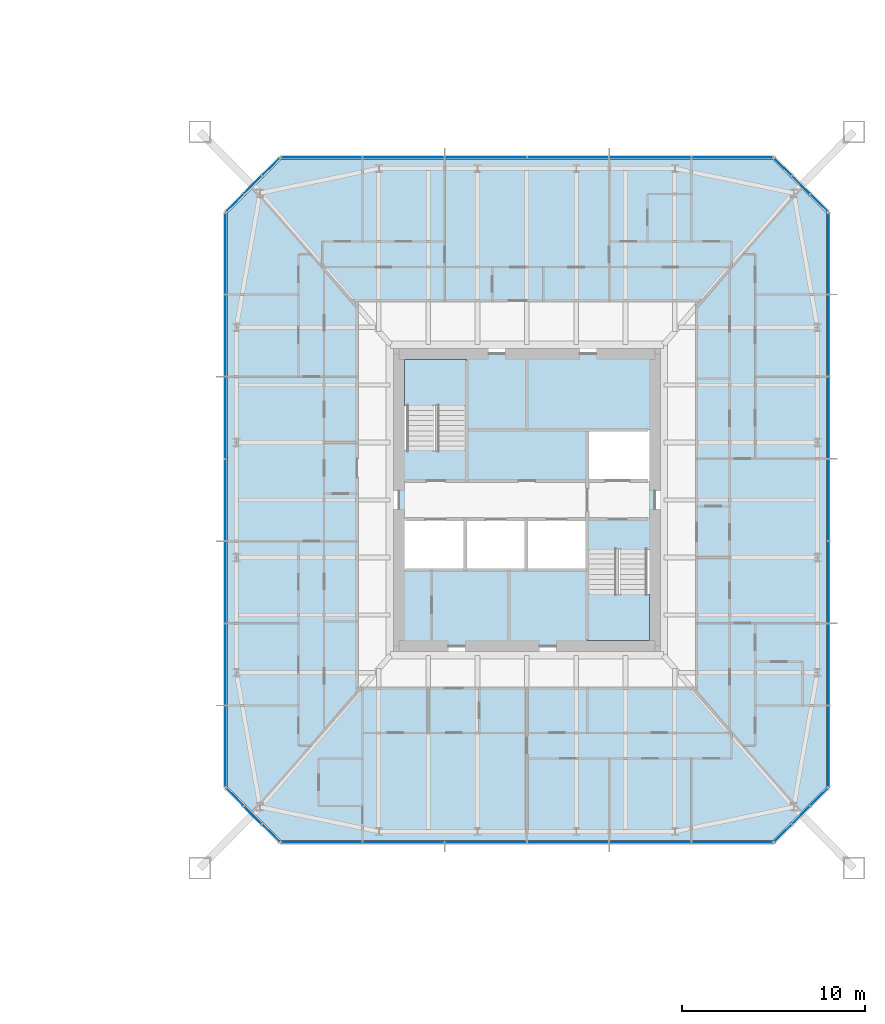
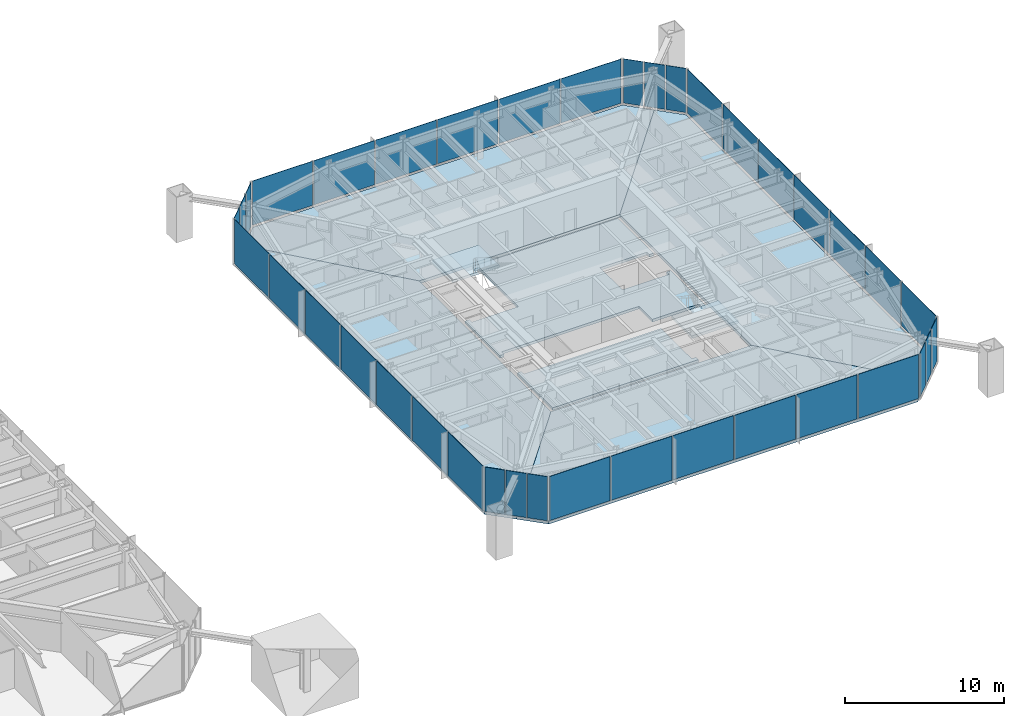
# One storey, part 13 of 26: 38 plates, 8 slabs, 10 elements without a shape of their own.
"""IFC4 building model written with IfcOpenShell, lengths in metres."""

from ifc_helpers import new_model, si_unit, direction, frame, origin, origin_2d, place, context, subcontext, project, spatial, polyline, rectangle, outline, extrude, material, layer, layer_set, constituent, constituent_set, type_object, element, aggregate, save


model = new_model("IFC4")

# Units and contexts
model_context = context("Model", 3, precision=1e-05, world=origin(), true_north=direction((0.0, 1.0)))
body_context = subcontext(model_context, "Body", "Model", "MODEL_VIEW")
ifc_project = project(units=[si_unit("LENGTHUNIT", "METRE"), si_unit("AREAUNIT", "SQUARE_METRE"), si_unit("VOLUMEUNIT", "CUBIC_METRE"), si_unit("PLANEANGLEUNIT", "RADIAN"), si_unit("MASSUNIT", "GRAM", prefix="KILO")], contexts=[model_context])

# Site, building, storey
site_placement = place(None, origin())
site = spatial("IfcSite", under=ifc_project, at=site_placement, CompositionType="ELEMENT")
building_placement = place(site_placement, origin())
building = spatial("IfcBuilding", under=site, at=building_placement, Name="Iwan Alto Co-Living Towers", CompositionType="ELEMENT")
storey_placement = place(building_placement, frame((0.0, 0.0, 39.5)))
storey = spatial("IfcBuildingStorey", under=building, at=storey_placement, Name="L10", CompositionType="ELEMENT", Elevation=39.5)

# Slabs
ifc_material_1 = material(Name="Concrete f'c 30 MPa", Category="concrete")
ifc_layer_1 = layer(ifc_material_1, 0.199951171875)
ifc_layer_set_1 = layer_set([ifc_layer_1], Name="CORE FLOOR SLAB 200")
slab_type_1 = type_object("IfcSlabType", Name="CORE FLOOR SLAB 200", PredefinedType="FLOOR", material=ifc_layer_set_1)
slab_1_placement = place(storey_placement, frame((0.0, 0.0, -0.199951171875)))
element("IfcSlab", 1, at=slab_1_placement, inside=storey, type_object=slab_type_1, Name="T2 core floor L10", PredefinedType="FLOOR", context=body_context, shape_type="SweptSolid", body=[
    extrude(outline(polyline([(70.0, -3.030029296875), (69.699951171875, -3.030029296875), (69.699951171875, -2.719970703125), (66.300048828125, -2.719970703125), (66.300048828125, -1.050048828125), (62.967041015625, -1.050048828125), (59.633056640625, -1.050048828125), (56.300048828125, -1.050048828125), (56.300048828125, -1.360107421875), (56.0, -1.360107421875), (56.0, 3.030029296875), (56.300048828125, 3.030029296875), (56.300048828125, 2.719970703125), (59.699951171875, 2.719970703125), (59.699951171875, 7.699951171875), (59.389892578125, 7.699951171875), (59.389892578125, 8.0), (70.0, 8.0), (70.0, 3.5400390625), (69.699951171875, 3.5400390625), (69.699951171875, 3.85009765625), (66.300048828125, 3.85009765625), (66.300048828125, 1.050048828125), (69.699951171875, 1.050048828125), (69.699951171875, 1.360107421875), (70.0, 1.360107421875), (70.0, -3.030029296875)])), origin(), (0.0, 0.0, 1.0), 0.199951171875),
])
slab_2_placement = place(storey_placement, frame((0.0, 0.0, -0.199951171875)))
element("IfcSlab", 2, at=slab_2_placement, inside=storey, type_object=slab_type_1, Name="T2 core floor L10", PredefinedType="FLOOR", context=body_context, shape_type="SweptSolid", body=[
    extrude(outline(polyline([(62.967041015625, -3.85009765625), (66.300048828125, -3.85009765625), (66.300048828125, -7.699951171875), (66.610107421875, -7.699951171875), (66.610107421875, -8.0), (56.0, -8.0), (56.0, -3.5400390625), (56.300048828125, -3.5400390625), (56.300048828125, -3.85009765625), (59.633056640625, -3.85009765625), (62.967041015625, -3.85009765625)])), origin(), (0.0, 0.0, 1.0), 0.199951171875),
])

# Curtain wall, plates
ifc_material_2 = material(Name="Bronze aluminium unitised frame", Category="aluminium")
curtain_wall_type_1 = type_object("IfcCurtainWallType", Name="CURTAIN WALL CW-C", PredefinedType="NOTDEFINED", material=ifc_material_2)
curtain_wall_1_placement = place(storey_placement, origin())
curtain_wall_1 = element("IfcCurtainWall", 3, at=curtain_wall_1_placement, inside=storey, type_object=curtain_wall_type_1, Name="T2 curtain wall S L10", PredefinedType="NOTDEFINED")
ifc_material_3 = material(Name="Bronze-tinted insulating glass", Category="glass")
ifc_layer_2 = layer(ifc_material_3, 0.031982421875)
ifc_layer_set_2 = layer_set([ifc_layer_2], Name="CW-C PANEL TINTED IGU 32")
plate_type_1 = type_object("IfcPlateType", Name="CW-C PANEL TINTED IGU 32", PredefinedType="CURTAIN_PANEL", material=ifc_layer_set_2)
plate_1_placement = place(storey_placement, frame((56.25, -18.75, 0.10009765625), z_axis=(0.0, 0.0, 1.0), x_axis=(1.0, 0.0, 0.0)))
plate_1 = element("IfcPlate", 4, at=plate_1_placement, type_object=plate_type_1, Name="CW-C panel 2.1", PredefinedType="CURTAIN_PANEL", context=body_context, shape_type="SweptSolid", body=[
    extrude(rectangle(XDim=4.419921875, YDim=0.031982421875, at=origin_2d()), origin(), (0.0, 0.0, 1.0), 3.39990234375),
])
plate_2_placement = place(storey_placement, frame((60.75, -18.75, 0.10009765625), z_axis=(0.0, 0.0, 1.0), x_axis=(1.0, 0.0, 0.0)))
plate_2 = element("IfcPlate", 5, at=plate_2_placement, type_object=plate_type_1, Name="CW-C panel 3.1", PredefinedType="CURTAIN_PANEL", context=body_context, shape_type="SweptSolid", body=[
    extrude(rectangle(XDim=4.419921875, YDim=0.031982421875, at=origin_2d()), origin(), (0.0, 0.0, 1.0), 3.39990234375),
])
plate_3_placement = place(storey_placement, frame((65.25, -18.75, 0.10009765625), z_axis=(0.0, 0.0, 1.0), x_axis=(1.0, 0.0, 0.0)))
plate_3 = element("IfcPlate", 6, at=plate_3_placement, type_object=plate_type_1, Name="CW-C panel 4.1", PredefinedType="CURTAIN_PANEL", context=body_context, shape_type="SweptSolid", body=[
    extrude(rectangle(XDim=4.419921875, YDim=0.031982421875, at=origin_2d()), origin(), (0.0, 0.0, 1.0), 3.39990234375),
])
plate_4_placement = place(storey_placement, frame((69.75, -18.75, 0.10009765625), z_axis=(0.0, 0.0, 1.0), x_axis=(1.0, 0.0, 0.0)))
plate_4 = element("IfcPlate", 7, at=plate_4_placement, type_object=plate_type_1, Name="CW-C panel 5.1", PredefinedType="CURTAIN_PANEL", context=body_context, shape_type="SweptSolid", body=[
    extrude(rectangle(XDim=4.419921875, YDim=0.031982421875, at=origin_2d()), origin(), (0.0, 0.0, 1.0), 3.39990234375),
])

curtain_wall_2_placement = place(storey_placement, origin())
curtain_wall_2 = element("IfcCurtainWall", 8, at=curtain_wall_2_placement, inside=storey, type_object=curtain_wall_type_1, Name="T2 curtain wall E L10", PredefinedType="NOTDEFINED")
plate_5_placement = place(storey_placement, frame((79.5, -9.0, 0.10009765625), z_axis=(0.0, 0.0, 1.0), x_axis=(0.0, 1.0, 0.0)))
plate_5 = element("IfcPlate", 9, at=plate_5_placement, type_object=plate_type_1, Name="CW-C panel 2.1", PredefinedType="CURTAIN_PANEL", context=body_context, shape_type="SweptSolid", body=[
    extrude(rectangle(XDim=4.419921875, YDim=0.031982421875, at=origin_2d()), origin(), (0.0, 0.0, 1.0), 3.39990234375),
])
plate_6_placement = place(storey_placement, frame((79.5, -4.5, 0.10009765625), z_axis=(0.0, 0.0, 1.0), x_axis=(0.0, 1.0, 0.0)))
plate_6 = element("IfcPlate", 10, at=plate_6_placement, type_object=plate_type_1, Name="CW-C panel 3.1", PredefinedType="CURTAIN_PANEL", context=body_context, shape_type="SweptSolid", body=[
    extrude(rectangle(XDim=4.419921875, YDim=0.031982421875, at=origin_2d()), origin(), (0.0, 0.0, 1.0), 3.39990234375),
])
plate_7_placement = place(storey_placement, frame((79.5, 0.0, 0.10009765625), z_axis=(0.0, 0.0, 1.0), x_axis=(0.0, 1.0, 0.0)))
plate_7 = element("IfcPlate", 11, at=plate_7_placement, type_object=plate_type_1, Name="CW-C panel 4.1", PredefinedType="CURTAIN_PANEL", context=body_context, shape_type="SweptSolid", body=[
    extrude(rectangle(XDim=4.419921875, YDim=0.031982421875, at=origin_2d()), origin(), (0.0, 0.0, 1.0), 3.39990234375),
])
plate_8_placement = place(storey_placement, frame((79.5, 4.5, 0.10009765625), z_axis=(0.0, 0.0, 1.0), x_axis=(0.0, 1.0, 0.0)))
plate_8 = element("IfcPlate", 12, at=plate_8_placement, type_object=plate_type_1, Name="CW-C panel 5.1", PredefinedType="CURTAIN_PANEL", context=body_context, shape_type="SweptSolid", body=[
    extrude(rectangle(XDim=4.419921875, YDim=0.031982421875, at=origin_2d()), origin(), (0.0, 0.0, 1.0), 3.39990234375),
])
plate_9_placement = place(storey_placement, frame((79.5, 9.0, 0.10009765625), z_axis=(0.0, 0.0, 1.0), x_axis=(0.0, 1.0, 0.0)))
plate_9 = element("IfcPlate", 13, at=plate_9_placement, type_object=plate_type_1, Name="CW-C panel 6.1", PredefinedType="CURTAIN_PANEL", context=body_context, shape_type="SweptSolid", body=[
    extrude(rectangle(XDim=4.419921875, YDim=0.031982421875, at=origin_2d()), origin(), (0.0, 0.0, 1.0), 3.39990234375),
])

curtain_wall_3_placement = place(storey_placement, origin())
curtain_wall_3 = element("IfcCurtainWall", 14, at=curtain_wall_3_placement, inside=storey, type_object=curtain_wall_type_1, Name="T2 curtain wall N L10", PredefinedType="NOTDEFINED")
plate_10_placement = place(storey_placement, frame((69.75, 18.75, 0.10009765625), z_axis=(0.0, 0.0, 1.0), x_axis=(-1.0, 0.0, 0.0)))
plate_10 = element("IfcPlate", 15, at=plate_10_placement, type_object=plate_type_1, Name="CW-C panel 2.1", PredefinedType="CURTAIN_PANEL", context=body_context, shape_type="SweptSolid", body=[
    extrude(rectangle(XDim=4.419921875, YDim=0.031982421875, at=origin_2d()), origin(), (0.0, 0.0, 1.0), 3.39990234375),
])
plate_11_placement = place(storey_placement, frame((65.25, 18.75, 0.10009765625), z_axis=(0.0, 0.0, 1.0), x_axis=(-1.0, 0.0, 0.0)))
plate_11 = element("IfcPlate", 16, at=plate_11_placement, type_object=plate_type_1, Name="CW-C panel 3.1", PredefinedType="CURTAIN_PANEL", context=body_context, shape_type="SweptSolid", body=[
    extrude(rectangle(XDim=4.419921875, YDim=0.031982421875, at=origin_2d()), origin(), (0.0, 0.0, 1.0), 3.39990234375),
])
plate_12_placement = place(storey_placement, frame((60.75, 18.75, 0.10009765625), z_axis=(0.0, 0.0, 1.0), x_axis=(-1.0, 0.0, 0.0)))
plate_12 = element("IfcPlate", 17, at=plate_12_placement, type_object=plate_type_1, Name="CW-C panel 4.1", PredefinedType="CURTAIN_PANEL", context=body_context, shape_type="SweptSolid", body=[
    extrude(rectangle(XDim=4.419921875, YDim=0.031982421875, at=origin_2d()), origin(), (0.0, 0.0, 1.0), 3.39990234375),
])
plate_13_placement = place(storey_placement, frame((56.25, 18.75, 0.10009765625), z_axis=(0.0, 0.0, 1.0), x_axis=(-1.0, 0.0, 0.0)))
plate_13 = element("IfcPlate", 18, at=plate_13_placement, type_object=plate_type_1, Name="CW-C panel 5.1", PredefinedType="CURTAIN_PANEL", context=body_context, shape_type="SweptSolid", body=[
    extrude(rectangle(XDim=4.419921875, YDim=0.031982421875, at=origin_2d()), origin(), (0.0, 0.0, 1.0), 3.39990234375),
])

curtain_wall_4_placement = place(storey_placement, origin())
curtain_wall_4 = element("IfcCurtainWall", 19, at=curtain_wall_4_placement, inside=storey, type_object=curtain_wall_type_1, Name="T2 curtain wall W L10", PredefinedType="NOTDEFINED")
plate_14_placement = place(storey_placement, frame((46.5, 9.0, 0.10009765625), z_axis=(0.0, 0.0, 1.0), x_axis=(0.0, -1.0, 0.0)))
plate_14 = element("IfcPlate", 20, at=plate_14_placement, type_object=plate_type_1, Name="CW-C panel 2.1", PredefinedType="CURTAIN_PANEL", context=body_context, shape_type="SweptSolid", body=[
    extrude(rectangle(XDim=4.419921875, YDim=0.031982421875, at=origin_2d()), origin(), (0.0, 0.0, 1.0), 3.39990234375),
])
plate_15_placement = place(storey_placement, frame((46.5, 4.5, 0.10009765625), z_axis=(0.0, 0.0, 1.0), x_axis=(0.0, -1.0, 0.0)))
plate_15 = element("IfcPlate", 21, at=plate_15_placement, type_object=plate_type_1, Name="CW-C panel 3.1", PredefinedType="CURTAIN_PANEL", context=body_context, shape_type="SweptSolid", body=[
    extrude(rectangle(XDim=4.419921875, YDim=0.031982421875, at=origin_2d()), origin(), (0.0, 0.0, 1.0), 3.39990234375),
])
plate_16_placement = place(storey_placement, frame((46.5, 0.0, 0.10009765625), z_axis=(0.0, 0.0, 1.0), x_axis=(0.0, -1.0, 0.0)))
plate_16 = element("IfcPlate", 22, at=plate_16_placement, type_object=plate_type_1, Name="CW-C panel 4.1", PredefinedType="CURTAIN_PANEL", context=body_context, shape_type="SweptSolid", body=[
    extrude(rectangle(XDim=4.419921875, YDim=0.031982421875, at=origin_2d()), origin(), (0.0, 0.0, 1.0), 3.39990234375),
])
plate_17_placement = place(storey_placement, frame((46.5, -4.5, 0.10009765625), z_axis=(0.0, 0.0, 1.0), x_axis=(0.0, -1.0, 0.0)))
plate_17 = element("IfcPlate", 23, at=plate_17_placement, type_object=plate_type_1, Name="CW-C panel 5.1", PredefinedType="CURTAIN_PANEL", context=body_context, shape_type="SweptSolid", body=[
    extrude(rectangle(XDim=4.419921875, YDim=0.031982421875, at=origin_2d()), origin(), (0.0, 0.0, 1.0), 3.39990234375),
])
plate_18_placement = place(storey_placement, frame((46.5, -9.0, 0.10009765625), z_axis=(0.0, 0.0, 1.0), x_axis=(0.0, -1.0, 0.0)))
plate_18 = element("IfcPlate", 24, at=plate_18_placement, type_object=plate_type_1, Name="CW-C panel 6.1", PredefinedType="CURTAIN_PANEL", context=body_context, shape_type="SweptSolid", body=[
    extrude(rectangle(XDim=4.419921875, YDim=0.031982421875, at=origin_2d()), origin(), (0.0, 0.0, 1.0), 3.39990234375),
])

# Plate
ifc_material_4 = material(Name="Insulated bronze aluminium spandrel panel", Category="aluminium")
ifc_layer_3 = layer(ifc_material_4, 0.031982421875)
ifc_layer_set_3 = layer_set([ifc_layer_3], Name="CW-C SPANDREL PANEL 32")
plate_type_2 = type_object("IfcPlateType", Name="CW-C SPANDREL PANEL 32", PredefinedType="CURTAIN_PANEL", material=ifc_layer_set_3)
plate_19_placement = place(storey_placement, frame((51.77001953125, -18.75, 0.10009765625), z_axis=(0.0, 0.0, 1.0), x_axis=(1.0, 0.0, 0.0)))
plate_19 = element("IfcPlate", 25, at=plate_19_placement, type_object=plate_type_2, Name="CW-C spandrel panel 1.1 (braced bay)", PredefinedType="CURTAIN_PANEL", context=body_context, shape_type="SweptSolid", body=[
    extrude(rectangle(XDim=4.3798828125, YDim=0.031982421875, at=origin_2d()), origin(), (0.0, 0.0, 1.0), 3.39990234375),
])

plate_20_placement = place(storey_placement, frame((74.22998046875, -18.75, 0.10009765625), z_axis=(0.0, 0.0, 1.0), x_axis=(1.0, 0.0, 0.0)))
plate_20 = element("IfcPlate", 26, at=plate_20_placement, type_object=plate_type_2, Name="CW-C spandrel panel 6.1 (braced bay)", PredefinedType="CURTAIN_PANEL", context=body_context, shape_type="SweptSolid", body=[
    extrude(rectangle(XDim=4.3798828125, YDim=0.031982421875, at=origin_2d()), origin(), (0.0, 0.0, 1.0), 3.39990234375),
])

aggregate(curtain_wall_1, [plate_1, plate_2, plate_3, plate_4, plate_19, plate_20])

plate_21_placement = place(storey_placement, frame((79.5, -13.47998046875, 0.10009765625), z_axis=(0.0, 0.0, 1.0), x_axis=(0.0, 1.0, 0.0)))
plate_21 = element("IfcPlate", 27, at=plate_21_placement, type_object=plate_type_2, Name="CW-C spandrel panel 1.1 (braced bay)", PredefinedType="CURTAIN_PANEL", context=body_context, shape_type="SweptSolid", body=[
    extrude(rectangle(XDim=4.3798828125, YDim=0.031982421875, at=origin_2d()), origin(), (0.0, 0.0, 1.0), 3.39990234375),
])

plate_22_placement = place(storey_placement, frame((79.5, 13.47998046875, 0.10009765625), z_axis=(0.0, 0.0, 1.0), x_axis=(0.0, 1.0, 0.0)))
plate_22 = element("IfcPlate", 28, at=plate_22_placement, type_object=plate_type_2, Name="CW-C spandrel panel 7.1 (braced bay)", PredefinedType="CURTAIN_PANEL", context=body_context, shape_type="SweptSolid", body=[
    extrude(rectangle(XDim=4.3798828125, YDim=0.031982421875, at=origin_2d()), origin(), (0.0, 0.0, 1.0), 3.39990234375),
])

aggregate(curtain_wall_2, [plate_5, plate_6, plate_7, plate_8, plate_9, plate_21, plate_22])

plate_23_placement = place(storey_placement, frame((74.22998046875, 18.75, 0.10009765625), z_axis=(0.0, 0.0, 1.0), x_axis=(-1.0, 0.0, 0.0)))
plate_23 = element("IfcPlate", 29, at=plate_23_placement, type_object=plate_type_2, Name="CW-C spandrel panel 1.1 (braced bay)", PredefinedType="CURTAIN_PANEL", context=body_context, shape_type="SweptSolid", body=[
    extrude(rectangle(XDim=4.3798828125, YDim=0.031982421875, at=origin_2d()), origin(), (0.0, 0.0, 1.0), 3.39990234375),
])

plate_24_placement = place(storey_placement, frame((51.77001953125, 18.75, 0.10009765625), z_axis=(0.0, 0.0, 1.0), x_axis=(-1.0, 0.0, 0.0)))
plate_24 = element("IfcPlate", 30, at=plate_24_placement, type_object=plate_type_2, Name="CW-C spandrel panel 6.1 (braced bay)", PredefinedType="CURTAIN_PANEL", context=body_context, shape_type="SweptSolid", body=[
    extrude(rectangle(XDim=4.3798828125, YDim=0.031982421875, at=origin_2d()), origin(), (0.0, 0.0, 1.0), 3.39990234375),
])

aggregate(curtain_wall_3, [plate_10, plate_11, plate_12, plate_13, plate_23, plate_24])

plate_25_placement = place(storey_placement, frame((46.5, 13.47998046875, 0.10009765625), z_axis=(0.0, 0.0, 1.0), x_axis=(0.0, -1.0, 0.0)))
plate_25 = element("IfcPlate", 31, at=plate_25_placement, type_object=plate_type_2, Name="CW-C spandrel panel 1.1 (braced bay)", PredefinedType="CURTAIN_PANEL", context=body_context, shape_type="SweptSolid", body=[
    extrude(rectangle(XDim=4.3798828125, YDim=0.031982421875, at=origin_2d()), origin(), (0.0, 0.0, 1.0), 3.39990234375),
])

plate_26_placement = place(storey_placement, frame((46.5, -13.47998046875, 0.10009765625), z_axis=(0.0, 0.0, 1.0), x_axis=(0.0, -1.0, 0.0)))
plate_26 = element("IfcPlate", 32, at=plate_26_placement, type_object=plate_type_2, Name="CW-C spandrel panel 7.1 (braced bay)", PredefinedType="CURTAIN_PANEL", context=body_context, shape_type="SweptSolid", body=[
    extrude(rectangle(XDim=4.3798828125, YDim=0.031982421875, at=origin_2d()), origin(), (0.0, 0.0, 1.0), 3.39990234375),
])

aggregate(curtain_wall_4, [plate_14, plate_15, plate_16, plate_17, plate_18, plate_25, plate_26])

# Curtain wall, plates
ifc_material_5 = material(Name="Bronze aluminium unitised frame", Category="aluminium")
curtain_wall_type_2 = type_object("IfcCurtainWallType", Name="CURTAIN WALL CW-D", PredefinedType="NOTDEFINED", material=ifc_material_5)
curtain_wall_5_placement = place(storey_placement, origin())
curtain_wall_5 = element("IfcCurtainWall", 33, at=curtain_wall_5_placement, inside=storey, type_object=curtain_wall_type_2, Name="T2 chamfer curtain wall SE L10", PredefinedType="NOTDEFINED")
ifc_material_6 = material(Name="Bronze-tinted insulating glass", Category="glass")
ifc_layer_4 = layer(ifc_material_6, 0.031982421875)
ifc_layer_set_4 = layer_set([ifc_layer_4], Name="CW-D PANEL TINTED IGU 32")
plate_type_3 = type_object("IfcPlateType", Name="CW-D PANEL TINTED IGU 32", PredefinedType="CURTAIN_PANEL", material=ifc_layer_set_4)
plate_27_placement = place(storey_placement, frame((77.01416015625, -18.23583984375, 0.10009765625), z_axis=(0.0, 0.0, 1.0), x_axis=(0.707106781187, 0.707106781187, 0.0)))
plate_27 = element("IfcPlate", 34, at=plate_27_placement, type_object=plate_type_3, Name="CW-D panel 1.1", PredefinedType="CURTAIN_PANEL", context=body_context, shape_type="SweptSolid", body=[
    extrude(rectangle(XDim=1.294189453125, YDim=0.031982421875, at=origin_2d()), origin(), (0.0, 0.0, 1.0), 3.39990234375),
])
plate_28_placement = place(storey_placement, frame((78.0, -17.25, 0.10009765625), z_axis=(0.0, 0.0, 1.0), x_axis=(0.707106781187, 0.707106781187, 0.0)))
plate_28 = element("IfcPlate", 35, at=plate_28_placement, type_object=plate_type_3, Name="CW-D panel 2.1", PredefinedType="CURTAIN_PANEL", context=body_context, shape_type="SweptSolid", body=[
    extrude(rectangle(XDim=1.334228515625, YDim=0.031982421875, at=origin_2d()), origin(), (0.0, 0.0, 1.0), 3.39990234375),
])
plate_29_placement = place(storey_placement, frame((78.98583984375, -16.26416015625, 0.10009765625), z_axis=(0.0, 0.0, 1.0), x_axis=(0.707106781187, 0.707106781187, 0.0)))
plate_29 = element("IfcPlate", 36, at=plate_29_placement, type_object=plate_type_3, Name="CW-D panel 3.1", PredefinedType="CURTAIN_PANEL", context=body_context, shape_type="SweptSolid", body=[
    extrude(rectangle(XDim=1.294189453125, YDim=0.031982421875, at=origin_2d()), origin(), (0.0, 0.0, 1.0), 3.39990234375),
])
aggregate(curtain_wall_5, [plate_27, plate_28, plate_29])

curtain_wall_6_placement = place(storey_placement, origin())
curtain_wall_6 = element("IfcCurtainWall", 37, at=curtain_wall_6_placement, inside=storey, type_object=curtain_wall_type_2, Name="T2 chamfer curtain wall NE L10", PredefinedType="NOTDEFINED")
plate_30_placement = place(storey_placement, frame((78.98583984375, 16.26416015625, 0.10009765625), z_axis=(0.0, 0.0, 1.0), x_axis=(-0.707106781187, 0.707106781187, 0.0)))
plate_30 = element("IfcPlate", 38, at=plate_30_placement, type_object=plate_type_3, Name="CW-D panel 1.1", PredefinedType="CURTAIN_PANEL", context=body_context, shape_type="SweptSolid", body=[
    extrude(rectangle(XDim=1.294189453125, YDim=0.031982421875, at=origin_2d()), origin(), (0.0, 0.0, 1.0), 3.39990234375),
])
plate_31_placement = place(storey_placement, frame((78.0, 17.25, 0.10009765625), z_axis=(0.0, 0.0, 1.0), x_axis=(-0.707106781187, 0.707106781187, 0.0)))
plate_31 = element("IfcPlate", 39, at=plate_31_placement, type_object=plate_type_3, Name="CW-D panel 2.1", PredefinedType="CURTAIN_PANEL", context=body_context, shape_type="SweptSolid", body=[
    extrude(rectangle(XDim=1.334228515625, YDim=0.031982421875, at=origin_2d()), origin(), (0.0, 0.0, 1.0), 3.39990234375),
])
plate_32_placement = place(storey_placement, frame((77.01416015625, 18.23583984375, 0.10009765625), z_axis=(0.0, 0.0, 1.0), x_axis=(-0.707106781187, 0.707106781187, 0.0)))
plate_32 = element("IfcPlate", 40, at=plate_32_placement, type_object=plate_type_3, Name="CW-D panel 3.1", PredefinedType="CURTAIN_PANEL", context=body_context, shape_type="SweptSolid", body=[
    extrude(rectangle(XDim=1.294189453125, YDim=0.031982421875, at=origin_2d()), origin(), (0.0, 0.0, 1.0), 3.39990234375),
])
aggregate(curtain_wall_6, [plate_30, plate_31, plate_32])

curtain_wall_7_placement = place(storey_placement, origin())
curtain_wall_7 = element("IfcCurtainWall", 41, at=curtain_wall_7_placement, inside=storey, type_object=curtain_wall_type_2, Name="T2 chamfer curtain wall NW L10", PredefinedType="NOTDEFINED")
plate_33_placement = place(storey_placement, frame((48.98583984375, 18.23583984375, 0.10009765625), z_axis=(0.0, 0.0, 1.0), x_axis=(-0.707106781187, -0.707106781187, 0.0)))
plate_33 = element("IfcPlate", 42, at=plate_33_placement, type_object=plate_type_3, Name="CW-D panel 1.1", PredefinedType="CURTAIN_PANEL", context=body_context, shape_type="SweptSolid", body=[
    extrude(rectangle(XDim=1.294189453125, YDim=0.031982421875, at=origin_2d()), origin(), (0.0, 0.0, 1.0), 3.39990234375),
])
plate_34_placement = place(storey_placement, frame((48.0, 17.25, 0.10009765625), z_axis=(0.0, 0.0, 1.0), x_axis=(-0.707106781187, -0.707106781187, 0.0)))
plate_34 = element("IfcPlate", 43, at=plate_34_placement, type_object=plate_type_3, Name="CW-D panel 2.1", PredefinedType="CURTAIN_PANEL", context=body_context, shape_type="SweptSolid", body=[
    extrude(rectangle(XDim=1.334228515625, YDim=0.031982421875, at=origin_2d()), origin(), (0.0, 0.0, 1.0), 3.39990234375),
])
plate_35_placement = place(storey_placement, frame((47.01416015625, 16.26416015625, 0.10009765625), z_axis=(0.0, 0.0, 1.0), x_axis=(-0.707106781187, -0.707106781187, 0.0)))
plate_35 = element("IfcPlate", 44, at=plate_35_placement, type_object=plate_type_3, Name="CW-D panel 3.1", PredefinedType="CURTAIN_PANEL", context=body_context, shape_type="SweptSolid", body=[
    extrude(rectangle(XDim=1.294189453125, YDim=0.031982421875, at=origin_2d()), origin(), (0.0, 0.0, 1.0), 3.39990234375),
])
aggregate(curtain_wall_7, [plate_33, plate_34, plate_35])

curtain_wall_8_placement = place(storey_placement, origin())
curtain_wall_8 = element("IfcCurtainWall", 45, at=curtain_wall_8_placement, inside=storey, type_object=curtain_wall_type_2, Name="T2 chamfer curtain wall SW L10", PredefinedType="NOTDEFINED")
plate_36_placement = place(storey_placement, frame((47.01416015625, -16.26416015625, 0.10009765625), z_axis=(0.0, 0.0, 1.0), x_axis=(0.707106781187, -0.707106781187, 0.0)))
plate_36 = element("IfcPlate", 46, at=plate_36_placement, type_object=plate_type_3, Name="CW-D panel 1.1", PredefinedType="CURTAIN_PANEL", context=body_context, shape_type="SweptSolid", body=[
    extrude(rectangle(XDim=1.294189453125, YDim=0.031982421875, at=origin_2d()), origin(), (0.0, 0.0, 1.0), 3.39990234375),
])
plate_37_placement = place(storey_placement, frame((48.0, -17.25, 0.10009765625), z_axis=(0.0, 0.0, 1.0), x_axis=(0.707106781187, -0.707106781187, 0.0)))
plate_37 = element("IfcPlate", 47, at=plate_37_placement, type_object=plate_type_3, Name="CW-D panel 2.1", PredefinedType="CURTAIN_PANEL", context=body_context, shape_type="SweptSolid", body=[
    extrude(rectangle(XDim=1.334228515625, YDim=0.031982421875, at=origin_2d()), origin(), (0.0, 0.0, 1.0), 3.39990234375),
])
plate_38_placement = place(storey_placement, frame((48.98583984375, -18.23583984375, 0.10009765625), z_axis=(0.0, 0.0, 1.0), x_axis=(0.707106781187, -0.707106781187, 0.0)))
plate_38 = element("IfcPlate", 48, at=plate_38_placement, type_object=plate_type_3, Name="CW-D panel 3.1", PredefinedType="CURTAIN_PANEL", context=body_context, shape_type="SweptSolid", body=[
    extrude(rectangle(XDim=1.294189453125, YDim=0.031982421875, at=origin_2d()), origin(), (0.0, 0.0, 1.0), 3.39990234375),
])
aggregate(curtain_wall_8, [plate_36, plate_37, plate_38])

# Stair, slab
ifc_material_7 = material(Name="Steel ASTM A36", Category="steel")
ifc_constituent_1 = constituent(ifc_material_7, Name="Stringers", Category="LoadBearing")
ifc_material_8 = material(Name="Concrete f'c 30 MPa", Category="concrete")
ifc_constituent_2 = constituent(ifc_material_8, Name="Tread fill", Category="Finish")
ifc_constituent_set = constituent_set(constituents=[ifc_constituent_1, ifc_constituent_2], Name="STAIR 3500 TWO-FLIGHT T2 CORE")
stair_type = type_object("IfcStairType", Name="STAIR 3500 TWO-FLIGHT T2 CORE", PredefinedType="HALF_TURN_STAIR", material=ifc_constituent_set)
stair_1_placement = place(storey_placement, origin())
stair_1 = element("IfcStair", 49, at=stair_1_placement, inside=storey, type_object=stair_type, Name="Stair T2-S1 L10 to L11", PredefinedType="HALF_TURN_STAIR")
ifc_material_9 = material(Name="Concrete f'c 30 MPa", Category="concrete")
ifc_layer_5 = layer(ifc_material_9, 0.199951171875)
ifc_layer_set_5 = layer_set([ifc_layer_5], Name="STAIR LANDING 200")
slab_type_2 = type_object("IfcSlabType", Name="STAIR LANDING 200", PredefinedType="LANDING", material=ifc_layer_set_5)
slab_3_placement = place(storey_placement, frame((0.0, 0.0, 1.550048828125)))
slab_3 = element("IfcSlab", 50, at=slab_3_placement, type_object=slab_type_2, Name="T2-S1 landing 1", PredefinedType="LANDING", context=body_context, shape_type="SweptSolid", body=[
    extrude(outline(polyline([(56.300048828125, 5.139892578125), (56.300048828125, 7.699951171875), (59.699951171875, 7.699951171875), (59.699951171875, 5.139892578125), (56.300048828125, 5.139892578125)])), origin(), (0.0, 0.0, 1.0), 0.199951171875),
])
aggregate(stair_1, [slab_3])

stair_2_placement = place(storey_placement, origin())
stair_2 = element("IfcStair", 51, at=stair_2_placement, inside=storey, type_object=stair_type, Name="Stair T2-S2 L10 to L11", PredefinedType="HALF_TURN_STAIR")
slab_4_placement = place(storey_placement, frame((0.0, 0.0, 1.550048828125)))
slab_4 = element("IfcSlab", 52, at=slab_4_placement, type_object=slab_type_2, Name="T2-S2 landing 1", PredefinedType="LANDING", context=body_context, shape_type="SweptSolid", body=[
    extrude(outline(polyline([(66.300048828125, -5.139892578125), (66.300048828125, -7.699951171875), (69.699951171875, -7.699951171875), (69.699951171875, -5.139892578125), (66.300048828125, -5.139892578125)])), origin(), (0.0, 0.0, 1.0), 0.199951171875),
])
aggregate(stair_2, [slab_4])

# Slabs
ifc_material_10 = material(Name="Concrete f'c 30 MPa", Category="concrete")
ifc_layer_6 = layer(ifc_material_10, 0.22998046875)
ifc_layer_set_6 = layer_set([ifc_layer_6], Name="T2 FLOOR SLAB 230")
slab_type_3 = type_object("IfcSlabType", Name="T2 FLOOR SLAB 230", PredefinedType="FLOOR", material=ifc_layer_set_6)
slab_5_placement = place(storey_placement, frame((0.0, 0.0, -0.22998046875)))
element("IfcSlab", 53, at=slab_5_placement, inside=storey, type_object=slab_type_3, Name="T2 floor slab L10 S pour", PredefinedType="FLOOR", context=body_context, shape_type="SweptSolid", body=[
    extrude(outline(polyline([(76.44140625, -18.64990234375), (49.55859375, -18.64990234375), (48.07568359375, -17.1669921875), (55.699951171875, -8.300048828125), (70.300048828125, -8.300048828125), (77.92431640625, -17.1669921875), (76.44140625, -18.64990234375)])), origin(), (0.0, 0.0, 1.0), 0.22998046875),
])
slab_6_placement = place(storey_placement, frame((0.0, 0.0, -0.22998046875)))
element("IfcSlab", 54, at=slab_6_placement, inside=storey, type_object=slab_type_3, Name="T2 floor slab L10 E pour", PredefinedType="FLOOR", context=body_context, shape_type="SweptSolid", body=[
    extrude(outline(polyline([(79.39990234375, 15.69140625), (79.39990234375, -15.69140625), (77.92431640625, -17.1669921875), (70.300048828125, -8.300048828125), (70.300048828125, 8.300048828125), (77.92431640625, 17.1669921875), (79.39990234375, 15.69140625)])), origin(), (0.0, 0.0, 1.0), 0.22998046875),
])
slab_7_placement = place(storey_placement, frame((0.0, 0.0, -0.22998046875)))
element("IfcSlab", 55, at=slab_7_placement, inside=storey, type_object=slab_type_3, Name="T2 floor slab L10 N pour", PredefinedType="FLOOR", context=body_context, shape_type="SweptSolid", body=[
    extrude(outline(polyline([(49.55859375, 18.64990234375), (76.44140625, 18.64990234375), (77.92431640625, 17.1669921875), (70.300048828125, 8.300048828125), (55.699951171875, 8.300048828125), (48.07568359375, 17.1669921875), (49.55859375, 18.64990234375)])), origin(), (0.0, 0.0, 1.0), 0.22998046875),
])
slab_8_placement = place(storey_placement, frame((0.0, 0.0, -0.22998046875)))
element("IfcSlab", 56, at=slab_8_placement, inside=storey, type_object=slab_type_3, Name="T2 floor slab L10 W pour", PredefinedType="FLOOR", context=body_context, shape_type="SweptSolid", body=[
    extrude(outline(polyline([(46.60009765625, 15.69140625), (48.07568359375, 17.1669921875), (55.699951171875, 8.300048828125), (55.699951171875, -8.300048828125), (48.07568359375, -17.1669921875), (46.60009765625, -15.69140625), (46.60009765625, 15.69140625)])), origin(), (0.0, 0.0, 1.0), 0.22998046875),
])

save(model, "model.ifc")
